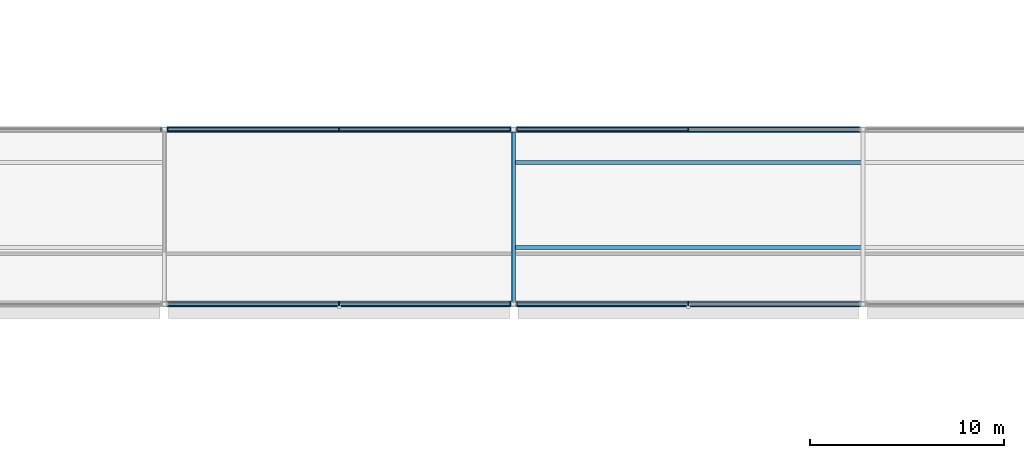
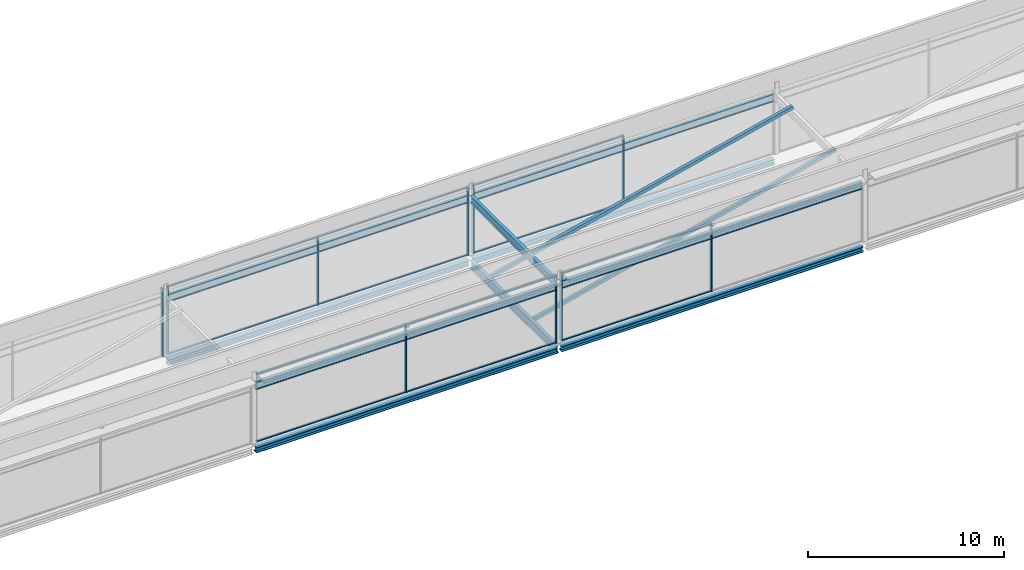
# One storey, part 19 of 73: 24 members, 10 beams, 5 elements without a shape of their own.
"""IFC4 building model written with IfcOpenShell, lengths in metres."""

from ifc_helpers import new_model, si_unit, direction, frame, origin, origin_2d, place, context, subcontext, project, spatial, rectangle, hollow_rectangle, i_section, extrude, material, layer, layer_set, material_profile, profile_set, type_object, element, aggregate, save


model = new_model("IFC4")

# Units and contexts
model_context = context("Model", 3, precision=1e-05, world=origin(), true_north=direction((0.0, 1.0)))
body_context = subcontext(model_context, "Body", "Model", "MODEL_VIEW")
ifc_project = project(units=[si_unit("LENGTHUNIT", "METRE"), si_unit("AREAUNIT", "SQUARE_METRE"), si_unit("VOLUMEUNIT", "CUBIC_METRE"), si_unit("PLANEANGLEUNIT", "RADIAN"), si_unit("MASSUNIT", "GRAM", prefix="KILO")], contexts=[model_context])

# Site, building, storey
site_placement = place(None, origin())
site = spatial("IfcSite", under=ifc_project, at=site_placement, CompositionType="ELEMENT")
building_placement = place(site_placement, origin())
building = spatial("IfcBuilding", under=site, at=building_placement, Name="Kisiwana Market Hall", CompositionType="ELEMENT")
storey_placement = place(building_placement, frame((0.0, 0.0, 33.300048828125)))
storey = spatial("IfcBuildingStorey", under=building, at=storey_placement, Name="L07", CompositionType="ELEMENT", Elevation=33.300048828125)

# Beams
ifc_material_1 = material(Name="Steel S355", Category="steel")
ifc_material_profile_1 = material_profile(ifc_material_1, i_section(OverallWidth=0.19140625, OverallDepth=0.4599609375, WebThickness=0.010009765625, FlangeThickness=0.01611328125, at=origin_2d()), Name="UB 457x191x82")
ifc_profile_set_1 = profile_set([ifc_material_profile_1], Name="Steel S355")
beam_type_1 = type_object("IfcBeamType", Name="BM-GIRD-UB457H", PredefinedType="BEAM", material=ifc_profile_set_1)
for number, where, z_axis, x_axis, name in (
    (1, (99.12109375, 18.0, 3.52783203125), (1.0, 0.0, 0.0), (0.0, 1.0, 0.0), "Roof girder B-2060"),
    (2, (117.12109375, 18.0, 3.52783203125), (1.0, 0.0, 0.0), (0.0, 1.0, 0.0), "Roof girder B-2061"),
    (3, (99.12109375, 27.0, 3.52783203125), (1.0, 0.0, 0.0), (0.0, 1.0, 0.0), "Roof girder B-2066"),
    (4, (117.12109375, 27.0, 3.52783203125), (1.0, 0.0, 0.0), (0.0, 1.0, 0.0), "Roof girder B-2067"),
):
    element("IfcBeam", number, at=place(storey_placement, frame(where, z_axis=z_axis, x_axis=x_axis)), inside=storey, type_object=beam_type_1, Name=name, PredefinedType="BEAM", context=body_context, shape_type="SweptSolid", body=[
        extrude(i_section(OverallWidth=0.19140625, OverallDepth=0.4599609375, WebThickness=0.010009765625, FlangeThickness=0.01611328125, at=origin_2d()), origin(), (0.0, 0.0, 1.0), 17.7578125),
    ])
beam_1_placement = place(storey_placement, frame((117.0, 18.12109375, 3.52783203125), z_axis=(0.0, 1.0, 0.0), x_axis=(-1.0, 0.0, 0.0)))
element("IfcBeam", 5, at=beam_1_placement, inside=storey, type_object=beam_type_1, Name="Roof girder B-2072", PredefinedType="BEAM", context=body_context, shape_type="SweptSolid", body=[
    extrude(i_section(OverallWidth=0.19140625, OverallDepth=0.4599609375, WebThickness=0.010009765625, FlangeThickness=0.01611328125, at=origin_2d()), origin(), (0.0, 0.0, 1.0), 8.7578125),
])
ifc_material_2 = material(Name="Steel S355", Category="steel")
ifc_material_profile_2 = material_profile(ifc_material_2, i_section(OverallWidth=0.209228515625, OverallDepth=0.533203125, WebThickness=0.010009765625, FlangeThickness=0.015625, at=origin_2d()), Name="UB 533x210x92")
ifc_profile_set_2 = profile_set([ifc_material_profile_2], Name="Steel S355")
beam_type_2 = type_object("IfcBeamType", Name="BM-GIRD-UB533", PredefinedType="BEAM", material=ifc_profile_set_2)
beam_2_placement = place(storey_placement, frame((117.0, 18.12109375, -0.531494140625), z_axis=(0.0, 1.0, 0.0), x_axis=(-1.0, 0.0, 0.0)))
element("IfcBeam", 6, at=beam_2_placement, inside=storey, type_object=beam_type_2, Name="Primary girder B-1905", PredefinedType="BEAM", context=body_context, shape_type="SweptSolid", body=[
    extrude(i_section(OverallWidth=0.209228515625, OverallDepth=0.533203125, WebThickness=0.010009765625, FlangeThickness=0.015625, at=origin_2d()), origin(), (0.0, 0.0, 1.0), 8.7578125),
])
ifc_material_3 = material(Name="Steel S355", Category="steel")
ifc_material_profile_3 = material_profile(ifc_material_3, i_section(OverallWidth=0.314453125, OverallDepth=0.33984375, WebThickness=0.01904296875, FlangeThickness=0.031494140625, at=origin_2d()), Name="UC 305x305x198")
ifc_profile_set_3 = profile_set([ifc_material_profile_3], Name="Steel S355")
beam_type_3 = type_object("IfcBeamType", Name="BM-SKYBR-CHORD", PredefinedType="BEAM", material=ifc_profile_set_3)
for number, where, z_axis, x_axis, name in (
    (7, (99.12109375, 18.0, -0.43505859375), (1.0, 0.0, 0.0), (0.0, 1.0, 0.0), "Floor beam B-1970"),
    (8, (117.12109375, 18.0, -0.43505859375), (1.0, 0.0, 0.0), (0.0, 1.0, 0.0), "Floor beam B-1971"),
    (9, (99.12109375, 27.0, -0.43505859375), (1.0, 0.0, 0.0), (0.0, 1.0, 0.0), "Floor beam B-1980"),
    (10, (117.12109375, 27.0, -0.43505859375), (1.0, 0.0, 0.0), (0.0, 1.0, 0.0), "Floor beam B-1981"),
):
    element("IfcBeam", number, at=place(storey_placement, frame(where, z_axis=z_axis, x_axis=x_axis)), inside=storey, type_object=beam_type_3, Name=name, PredefinedType="BEAM", context=body_context, shape_type="SweptSolid", body=[
        extrude(i_section(OverallWidth=0.314453125, OverallDepth=0.33984375, WebThickness=0.01904296875, FlangeThickness=0.031494140625, at=origin_2d()), origin(), (0.0, 0.0, 1.0), 17.7578125),
    ])

# Curtain wall, members
ifc_material_4 = material(Name="Double-glazed solar-control low-E IGU", Category="glass")
ifc_layer = layer(ifc_material_4, 0.159912109375)
ifc_layer_set = layer_set([ifc_layer], Name="CW-BRG-L07-8200")
curtain_wall_type = type_object("IfcCurtainWallType", Name="CW-BRG-L07-8200", PredefinedType="USERDEFINED", material=ifc_layer_set)
curtain_wall_1_placement = place(storey_placement, origin())
curtain_wall_1 = element("IfcCurtainWall", 11, at=curtain_wall_1_placement, inside=storey, type_object=curtain_wall_type, Name="Unitised curtain wall CW-215 (L07)", ObjectType="UNITISED CURTAIN WALL", PredefinedType="USERDEFINED")
ifc_material_5 = material(Name="Aluminium alloy 6063-T6", Category="aluminium")
ifc_material_profile_4 = material_profile(ifc_material_5, rectangle(XDim=0.070068359375, YDim=0.179931640625, at=origin_2d()), Name="ALU MULLION 70x180")
ifc_profile_set_4 = profile_set([ifc_material_profile_4], Name="Aluminium alloy 6063-T6")
member_type_1 = type_object("IfcMemberType", Name="CW-MULL-70x180", PredefinedType="MULLION", material=ifc_profile_set_4)
member_1_placement = place(storey_placement, frame((108.0, 18.0, 0.0), z_axis=(0.0, 0.0, 1.0), x_axis=(1.0, 0.0, 0.0)))
member_1 = element("IfcMember", 12, at=member_1_placement, type_object=member_type_1, Name="CW-215 mullion 2", PredefinedType="MULLION", context=body_context, shape_type="SweptSolid", body=[
    extrude(rectangle(XDim=0.070068359375, YDim=0.179931640625, at=origin_2d()), origin(), (0.0, 0.0, 1.0), 4.2548828125),
])
member_2_placement = place(storey_placement, frame((116.840087890625, 18.0, 0.0), z_axis=(0.0, 0.0, 1.0), x_axis=(1.0, 0.0, 0.0)))
member_2 = element("IfcMember", 13, at=member_2_placement, type_object=member_type_1, Name="CW-215 mullion 3", PredefinedType="MULLION", context=body_context, shape_type="SweptSolid", body=[
    extrude(rectangle(XDim=0.070068359375, YDim=0.179931640625, at=origin_2d()), origin(), (0.0, 0.0, 1.0), 4.2548828125),
])

curtain_wall_2_placement = place(storey_placement, origin())
curtain_wall_2 = element("IfcCurtainWall", 14, at=curtain_wall_2_placement, inside=storey, type_object=curtain_wall_type, Name="Unitised curtain wall CW-216 (L07)", ObjectType="UNITISED CURTAIN WALL", PredefinedType="USERDEFINED")
member_3_placement = place(storey_placement, frame((117.159912109375, 18.0, 0.0), z_axis=(0.0, 0.0, 1.0), x_axis=(1.0, 0.0, 0.0)))
member_3 = element("IfcMember", 15, at=member_3_placement, type_object=member_type_1, Name="CW-216 mullion 1", PredefinedType="MULLION", context=body_context, shape_type="SweptSolid", body=[
    extrude(rectangle(XDim=0.070068359375, YDim=0.179931640625, at=origin_2d()), origin(), (0.0, 0.0, 1.0), 4.2548828125),
])
member_4_placement = place(storey_placement, frame((126.0, 18.0, 0.0), z_axis=(0.0, 0.0, 1.0), x_axis=(1.0, 0.0, 0.0)))
member_4 = element("IfcMember", 16, at=member_4_placement, type_object=member_type_1, Name="CW-216 mullion 2", PredefinedType="MULLION", context=body_context, shape_type="SweptSolid", body=[
    extrude(rectangle(XDim=0.070068359375, YDim=0.179931640625, at=origin_2d()), origin(), (0.0, 0.0, 1.0), 4.2548828125),
])

# Curtain wall, member
curtain_wall_3_placement = place(storey_placement, origin())
curtain_wall_3 = element("IfcCurtainWall", 17, at=curtain_wall_3_placement, inside=storey, type_object=curtain_wall_type, Name="Unitised curtain wall CW-220 (L07)", ObjectType="UNITISED CURTAIN WALL", PredefinedType="USERDEFINED")
member_5_placement = place(storey_placement, frame((98.840087890625, 27.0, 0.0), z_axis=(0.0, 0.0, 1.0), x_axis=(1.0, 0.0, 0.0)))
member_5 = element("IfcMember", 18, at=member_5_placement, type_object=member_type_1, Name="CW-220 mullion 3", PredefinedType="MULLION", context=body_context, shape_type="SweptSolid", body=[
    extrude(rectangle(XDim=0.070068359375, YDim=0.179931640625, at=origin_2d()), origin(), (0.0, 0.0, 1.0), 4.2548828125),
])
aggregate(curtain_wall_3, [member_5])

# Curtain wall, members
curtain_wall_4_placement = place(storey_placement, origin())
curtain_wall_4 = element("IfcCurtainWall", 19, at=curtain_wall_4_placement, inside=storey, type_object=curtain_wall_type, Name="Unitised curtain wall CW-221 (L07)", ObjectType="UNITISED CURTAIN WALL", PredefinedType="USERDEFINED")
member_6_placement = place(storey_placement, frame((99.159912109375, 27.0, 0.0), z_axis=(0.0, 0.0, 1.0), x_axis=(1.0, 0.0, 0.0)))
member_6 = element("IfcMember", 20, at=member_6_placement, type_object=member_type_1, Name="CW-221 mullion 1", PredefinedType="MULLION", context=body_context, shape_type="SweptSolid", body=[
    extrude(rectangle(XDim=0.070068359375, YDim=0.179931640625, at=origin_2d()), origin(), (0.0, 0.0, 1.0), 4.2548828125),
])
member_7_placement = place(storey_placement, frame((108.0, 27.0, 0.0), z_axis=(0.0, 0.0, 1.0), x_axis=(1.0, 0.0, 0.0)))
member_7 = element("IfcMember", 21, at=member_7_placement, type_object=member_type_1, Name="CW-221 mullion 2", PredefinedType="MULLION", context=body_context, shape_type="SweptSolid", body=[
    extrude(rectangle(XDim=0.070068359375, YDim=0.179931640625, at=origin_2d()), origin(), (0.0, 0.0, 1.0), 4.2548828125),
])
member_8_placement = place(storey_placement, frame((116.840087890625, 27.0, 0.0), z_axis=(0.0, 0.0, 1.0), x_axis=(1.0, 0.0, 0.0)))
member_8 = element("IfcMember", 22, at=member_8_placement, type_object=member_type_1, Name="CW-221 mullion 3", PredefinedType="MULLION", context=body_context, shape_type="SweptSolid", body=[
    extrude(rectangle(XDim=0.070068359375, YDim=0.179931640625, at=origin_2d()), origin(), (0.0, 0.0, 1.0), 4.2548828125),
])

curtain_wall_5_placement = place(storey_placement, origin())
curtain_wall_5 = element("IfcCurtainWall", 23, at=curtain_wall_5_placement, inside=storey, type_object=curtain_wall_type, Name="Unitised curtain wall CW-222 (L07)", ObjectType="UNITISED CURTAIN WALL", PredefinedType="USERDEFINED")
member_9_placement = place(storey_placement, frame((117.159912109375, 27.0, 0.0), z_axis=(0.0, 0.0, 1.0), x_axis=(1.0, 0.0, 0.0)))
member_9 = element("IfcMember", 24, at=member_9_placement, type_object=member_type_1, Name="CW-222 mullion 1", PredefinedType="MULLION", context=body_context, shape_type="SweptSolid", body=[
    extrude(rectangle(XDim=0.070068359375, YDim=0.179931640625, at=origin_2d()), origin(), (0.0, 0.0, 1.0), 4.2548828125),
])
member_10_placement = place(storey_placement, frame((126.0, 27.0, 0.0), z_axis=(0.0, 0.0, 1.0), x_axis=(1.0, 0.0, 0.0)))
member_10 = element("IfcMember", 25, at=member_10_placement, type_object=member_type_1, Name="CW-222 mullion 2", PredefinedType="MULLION", context=body_context, shape_type="SweptSolid", body=[
    extrude(rectangle(XDim=0.070068359375, YDim=0.179931640625, at=origin_2d()), origin(), (0.0, 0.0, 1.0), 4.2548828125),
])

# Member
ifc_material_6 = material(Name="Aluminium alloy 6063-T6", Category="aluminium")
ifc_material_profile_5 = material_profile(ifc_material_6, rectangle(XDim=0.1201171875, YDim=0.06005859375, at=origin_2d()), Name="ALU TRANSOM 60x120")
ifc_profile_set_5 = profile_set([ifc_material_profile_5], Name="Aluminium alloy 6063-T6")
member_type_2 = type_object("IfcMemberType", Name="CW-TRAN-60x120", PredefinedType="USERDEFINED", material=ifc_profile_set_5)
member_11_placement = place(storey_placement, frame((99.195068359375, 18.0, 0.030029296875), z_axis=(1.0, 0.0, 0.0), x_axis=(0.0, 1.0, 0.0)))
member_11 = element("IfcMember", 26, at=member_11_placement, type_object=member_type_2, Name="CW-215 transom 1.1", ObjectType="TRANSOM", PredefinedType="USERDEFINED", context=body_context, shape_type="SweptSolid", body=[
    extrude(rectangle(XDim=0.1201171875, YDim=0.06005859375, at=origin_2d()), origin(), (0.0, 0.0, 1.0), 8.77001953125),
])

member_12_placement = place(storey_placement, frame((99.195068359375, 18.0, 4.224853515625), z_axis=(1.0, 0.0, 0.0), x_axis=(0.0, 1.0, 0.0)))
member_12 = element("IfcMember", 27, at=member_12_placement, type_object=member_type_2, Name="CW-215 transom 1.2", ObjectType="TRANSOM", PredefinedType="USERDEFINED", context=body_context, shape_type="SweptSolid", body=[
    extrude(rectangle(XDim=0.1201171875, YDim=0.06005859375, at=origin_2d()), origin(), (0.0, 0.0, 1.0), 8.77001953125),
])

member_13_placement = place(storey_placement, frame((108.034912109375, 18.0, 0.030029296875), z_axis=(1.0, 0.0, 0.0), x_axis=(0.0, 1.0, 0.0)))
member_13 = element("IfcMember", 28, at=member_13_placement, type_object=member_type_2, Name="CW-215 transom 2.1", ObjectType="TRANSOM", PredefinedType="USERDEFINED", context=body_context, shape_type="SweptSolid", body=[
    extrude(rectangle(XDim=0.1201171875, YDim=0.06005859375, at=origin_2d()), origin(), (0.0, 0.0, 1.0), 8.77001953125),
])

member_14_placement = place(storey_placement, frame((108.034912109375, 18.0, 4.224853515625), z_axis=(1.0, 0.0, 0.0), x_axis=(0.0, 1.0, 0.0)))
member_14 = element("IfcMember", 29, at=member_14_placement, type_object=member_type_2, Name="CW-215 transom 2.2", ObjectType="TRANSOM", PredefinedType="USERDEFINED", context=body_context, shape_type="SweptSolid", body=[
    extrude(rectangle(XDim=0.1201171875, YDim=0.06005859375, at=origin_2d()), origin(), (0.0, 0.0, 1.0), 8.77001953125),
])

aggregate(curtain_wall_1, [member_1, member_2, member_11, member_12, member_13, member_14])

member_15_placement = place(storey_placement, frame((117.195068359375, 18.0, 0.030029296875), z_axis=(1.0, 0.0, 0.0), x_axis=(0.0, 1.0, 0.0)))
member_15 = element("IfcMember", 30, at=member_15_placement, type_object=member_type_2, Name="CW-216 transom 1.1", ObjectType="TRANSOM", PredefinedType="USERDEFINED", context=body_context, shape_type="SweptSolid", body=[
    extrude(rectangle(XDim=0.1201171875, YDim=0.06005859375, at=origin_2d()), origin(), (0.0, 0.0, 1.0), 8.77001953125),
])

member_16_placement = place(storey_placement, frame((117.195068359375, 18.0, 4.224853515625), z_axis=(1.0, 0.0, 0.0), x_axis=(0.0, 1.0, 0.0)))
member_16 = element("IfcMember", 31, at=member_16_placement, type_object=member_type_2, Name="CW-216 transom 1.2", ObjectType="TRANSOM", PredefinedType="USERDEFINED", context=body_context, shape_type="SweptSolid", body=[
    extrude(rectangle(XDim=0.1201171875, YDim=0.06005859375, at=origin_2d()), origin(), (0.0, 0.0, 1.0), 8.77001953125),
])

aggregate(curtain_wall_2, [member_3, member_4, member_15, member_16])

member_17_placement = place(storey_placement, frame((99.195068359375, 27.0, 0.030029296875), z_axis=(1.0, 0.0, 0.0), x_axis=(0.0, 1.0, 0.0)))
member_17 = element("IfcMember", 32, at=member_17_placement, type_object=member_type_2, Name="CW-221 transom 1.1", ObjectType="TRANSOM", PredefinedType="USERDEFINED", context=body_context, shape_type="SweptSolid", body=[
    extrude(rectangle(XDim=0.1201171875, YDim=0.06005859375, at=origin_2d()), origin(), (0.0, 0.0, 1.0), 8.77001953125),
])

member_18_placement = place(storey_placement, frame((99.195068359375, 27.0, 4.224853515625), z_axis=(1.0, 0.0, 0.0), x_axis=(0.0, 1.0, 0.0)))
member_18 = element("IfcMember", 33, at=member_18_placement, type_object=member_type_2, Name="CW-221 transom 1.2", ObjectType="TRANSOM", PredefinedType="USERDEFINED", context=body_context, shape_type="SweptSolid", body=[
    extrude(rectangle(XDim=0.1201171875, YDim=0.06005859375, at=origin_2d()), origin(), (0.0, 0.0, 1.0), 8.77001953125),
])

member_19_placement = place(storey_placement, frame((108.034912109375, 27.0, 0.030029296875), z_axis=(1.0, 0.0, 0.0), x_axis=(0.0, 1.0, 0.0)))
member_19 = element("IfcMember", 34, at=member_19_placement, type_object=member_type_2, Name="CW-221 transom 2.1", ObjectType="TRANSOM", PredefinedType="USERDEFINED", context=body_context, shape_type="SweptSolid", body=[
    extrude(rectangle(XDim=0.1201171875, YDim=0.06005859375, at=origin_2d()), origin(), (0.0, 0.0, 1.0), 8.77001953125),
])

member_20_placement = place(storey_placement, frame((108.034912109375, 27.0, 4.224853515625), z_axis=(1.0, 0.0, 0.0), x_axis=(0.0, 1.0, 0.0)))
member_20 = element("IfcMember", 35, at=member_20_placement, type_object=member_type_2, Name="CW-221 transom 2.2", ObjectType="TRANSOM", PredefinedType="USERDEFINED", context=body_context, shape_type="SweptSolid", body=[
    extrude(rectangle(XDim=0.1201171875, YDim=0.06005859375, at=origin_2d()), origin(), (0.0, 0.0, 1.0), 8.77001953125),
])

aggregate(curtain_wall_4, [member_6, member_7, member_8, member_17, member_18, member_19, member_20])

member_21_placement = place(storey_placement, frame((117.195068359375, 27.0, 0.030029296875), z_axis=(1.0, 0.0, 0.0), x_axis=(0.0, 1.0, 0.0)))
member_21 = element("IfcMember", 36, at=member_21_placement, type_object=member_type_2, Name="CW-222 transom 1.1", ObjectType="TRANSOM", PredefinedType="USERDEFINED", context=body_context, shape_type="SweptSolid", body=[
    extrude(rectangle(XDim=0.1201171875, YDim=0.06005859375, at=origin_2d()), origin(), (0.0, 0.0, 1.0), 8.77001953125),
])

member_22_placement = place(storey_placement, frame((117.195068359375, 27.0, 4.224853515625), z_axis=(1.0, 0.0, 0.0), x_axis=(0.0, 1.0, 0.0)))
member_22 = element("IfcMember", 37, at=member_22_placement, type_object=member_type_2, Name="CW-222 transom 1.2", ObjectType="TRANSOM", PredefinedType="USERDEFINED", context=body_context, shape_type="SweptSolid", body=[
    extrude(rectangle(XDim=0.1201171875, YDim=0.06005859375, at=origin_2d()), origin(), (0.0, 0.0, 1.0), 8.77001953125),
])

aggregate(curtain_wall_5, [member_9, member_10, member_21, member_22])

# Members
ifc_material_7 = material(Name="Steel S355", Category="steel")
ifc_material_profile_6 = material_profile(ifc_material_7, hollow_rectangle(XDim=0.199951171875, YDim=0.199951171875, WallThickness=0.010009765625, at=origin_2d()), Name="SHS 200x200x10.0")
ifc_profile_set_6 = profile_set([ifc_material_profile_6], Name="Steel S355")
member_type_3 = type_object("IfcMemberType", Name="MB-SKY-DIAG200", PredefinedType="BRACE", material=ifc_profile_set_6)
for number, where, z_axis, x_axis, name in (
    (38, (117.0, 20.919921875, -0.5), (0.971336371937, 0.0, 0.237709176417), (0.0, 1.0, 0.0), "Skybridge truss diagonal L07 grids 14 to 16 M-0506"),
    (39, (117.0, 25.300048828125, -0.5), (0.971336371937, 0.0, 0.237709176417), (0.0, 1.0, 0.0), "Skybridge truss diagonal L07 grids 14 to 16 M-0507"),
):
    element("IfcMember", number, at=place(storey_placement, frame(where, z_axis=z_axis, x_axis=x_axis)), inside=storey, type_object=member_type_3, Name=name, PredefinedType="BRACE", context=body_context, shape_type="SweptSolid", body=[
        extrude(hollow_rectangle(XDim=0.199951171875, YDim=0.199951171875, WallThickness=0.010009765625, at=origin_2d()), origin(), (0.0, 0.0, 1.0), 18.53125),
    ])

save(model, "model.ifc")
